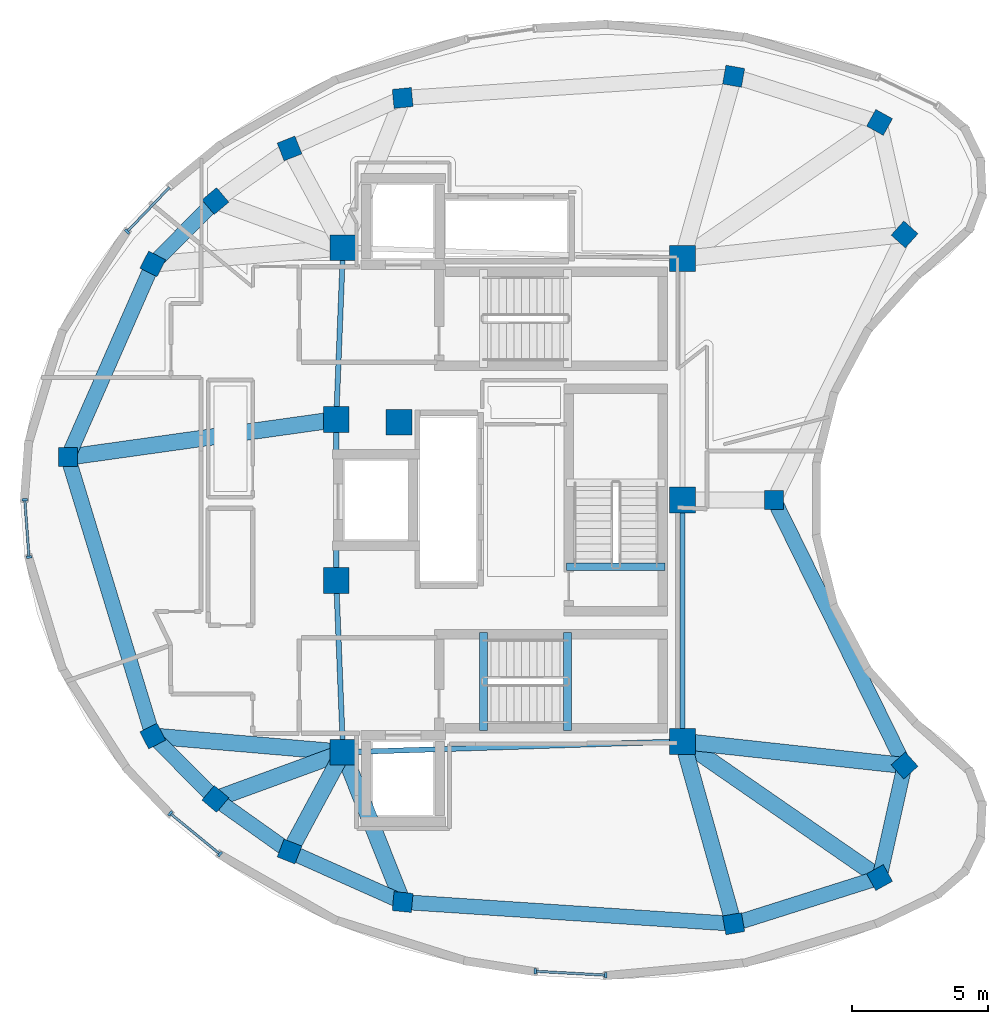
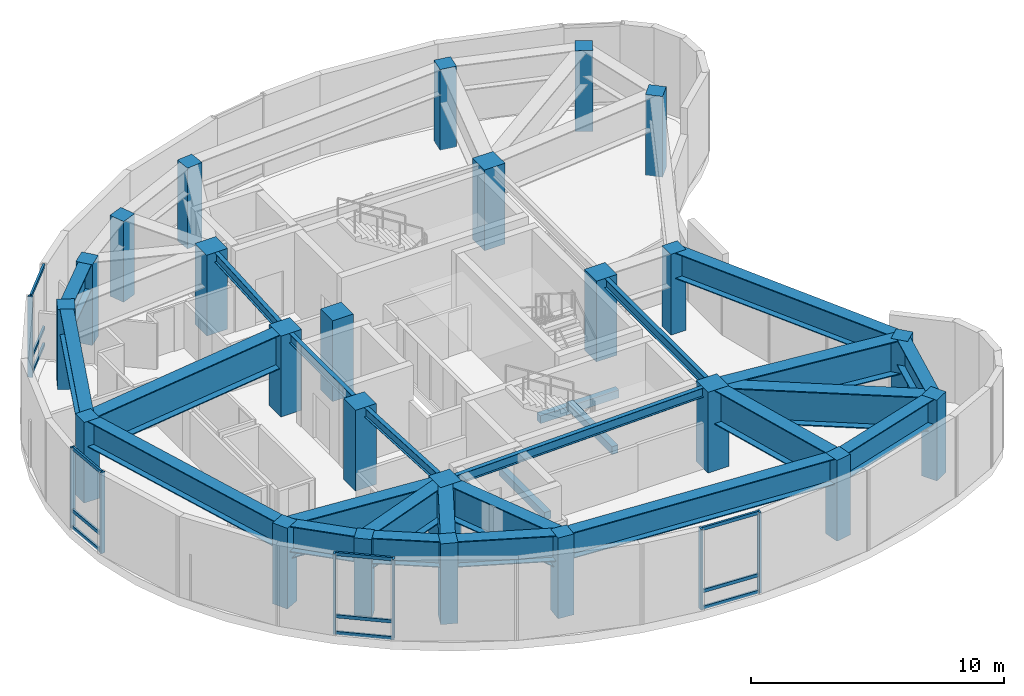
# One storey, part 1 of 8: 26 beams, 24 columns, 19 members, 4 elements without a shape of their own.
"""IFC4 building model written with IfcOpenShell, lengths in metres."""

import ifcopenshell
import ifcopenshell.guid

model = None  # the IFC model being written
_history = None  # IfcOwnerHistory: only IFC2X3 demands one
_inside = {}  # id of a spatial element -> (the spatial element, [elements in it])
_under = {}  # id of a project, library or spatial element -> (it, [spatial elements below it])
_declared = {}  # id of a project -> (the project, [libraries it declares])
_typed = {}  # id of a type object -> (the type object, [elements of that type])
_made_of = {}  # id of a material, layer set ... -> (it, [elements and type objects made of it])


def new_model(schema):
    """Start an empty IFC model of exactly this schema.

    Asked for "IFC4X3", IfcOpenShell would pick the latest addendum, in which some entities
    have other attributes; the version numbers below select the first issue.
    IFC2X3 requires an IfcOwnerHistory on every rooted entity: one is made here for all.
    """
    global model, _history
    if schema == "IFC4X3":
        model = ifcopenshell.file(schema_version=(4, 3, 0, 0))
    else:
        model = ifcopenshell.file(schema=schema)
    _inside.clear()
    _under.clear()
    _declared.clear()
    _typed.clear()
    _made_of.clear()
    _history = None
    if model.schema == "IFC2X3":
        org = make("IfcOrganization", Name="unknown")
        user = make(
            "IfcPersonAndOrganization",
            ThePerson=make("IfcPerson", FamilyName="unknown"),
            TheOrganization=org,
        )
        app = make(
            "IfcApplication",
            ApplicationDeveloper=org,
            Version="unknown",
            ApplicationFullName="unknown",
            ApplicationIdentifier="unknown",
        )
        _history = make(
            "IfcOwnerHistory",
            OwningUser=user,
            OwningApplication=app,
            ChangeAction="ADDED",
            CreationDate=0,
        )
    return model


def make(cls, **values):
    """One entity of the class cls with the attributes given. An attribute that is None is left unset."""
    return model.create_entity(
        cls, **{name: value for name, value in values.items() if value is not None}
    )


def rooted(cls, **values):
    """An entity with a GlobalId (a new one), such as an element, a storey or a relation."""
    return make(cls, GlobalId=ifcopenshell.guid.new(), OwnerHistory=_history, **values)


def si_unit(unit_type, name, prefix=None):
    """IfcSIUnit, for example si_unit("LENGTHUNIT", "METRE", prefix="MILLI")."""
    return make("IfcSIUnit", UnitType=unit_type, Prefix=prefix, Name=name)


def assignment(units):
    """IfcUnitAssignment: the units of a project."""
    return None if units is None else make("IfcUnitAssignment", Units=units)


def point(xyz):
    """IfcCartesianPoint."""
    return None if xyz is None else make("IfcCartesianPoint", Coordinates=xyz)


def direction(xyz):
    """IfcDirection."""
    return None if xyz is None else make("IfcDirection", DirectionRatios=xyz)


def frame(location, z_axis=None, x_axis=None):
    """IfcAxis2Placement3D, a coordinate frame: its origin and axes. An axis left out is left unset."""
    return make(
        "IfcAxis2Placement3D",
        Location=point(location),
        Axis=direction(z_axis),
        RefDirection=direction(x_axis),
    )


def frame_2d(location, x_axis=None):
    """IfcAxis2Placement2D, a coordinate frame in the plane: its origin and x axis."""
    return make(
        "IfcAxis2Placement2D", Location=point(location), RefDirection=direction(x_axis)
    )


def origin():
    """The frame at (0, 0, 0) with its axes left unset."""
    return frame((0.0, 0.0, 0.0))


def origin_2d():
    """The frame at (0, 0) in the plane with its x axis left unset."""
    return frame_2d((0.0, 0.0))


def place(relative_to, where):
    """IfcLocalPlacement: puts the frame where relative to a parent placement (None: the world)."""
    return make(
        "IfcLocalPlacement", PlacementRelTo=relative_to, RelativePlacement=where
    )


def context(
    kind, dimensions, precision=None, world=None, true_north=None, identifier=None
):
    """IfcGeometricRepresentationContext, for example the 3D "Model" context."""
    return make(
        "IfcGeometricRepresentationContext",
        ContextIdentifier=identifier,
        ContextType=kind,
        CoordinateSpaceDimension=dimensions,
        Precision=precision,
        WorldCoordinateSystem=world,
        TrueNorth=true_north,
    )


def subcontext(parent, identifier, kind, view, scale=None):
    """IfcGeometricRepresentationSubContext, for example "Body" below "Model"."""
    return make(
        "IfcGeometricRepresentationSubContext",
        ContextIdentifier=identifier,
        ContextType=kind,
        ParentContext=parent,
        TargetScale=scale,
        TargetView=view,
    )


def project(units=None, contexts=None):
    """IfcProject with its units and contexts."""
    return rooted(
        "IfcProject",
        Name="project",
        RepresentationContexts=contexts,
        UnitsInContext=assignment(units),
    )


def spatial(cls, under=None, at=None, **own):
    """A site, building, storey or space (cls), placed at a placement, below another one or the project."""
    s = rooted(cls, ObjectPlacement=at, **own)
    if under is not None:
        _under.setdefault(under.id(), (under, []))[1].append(s)
    return s


def profile(cls, at=None, kind="AREA", **sizes):
    """A parametric profile (cls). Its sizes go by their IFC names, for example OverallWidth=200.0."""
    return make(cls, ProfileType=kind, Position=at, **sizes)


def rectangle(**sizes):
    """IfcRectangleProfileDef."""
    return profile("IfcRectangleProfileDef", **sizes)


def i_section(**sizes):
    """IfcIShapeProfileDef."""
    return profile("IfcIShapeProfileDef", **sizes)


def extrude(swept, where, along, depth):
    """IfcExtrudedAreaSolid: the profile swept, set in the frame where, extruded along a direction by depth."""
    return make(
        "IfcExtrudedAreaSolid",
        SweptArea=swept,
        Position=where,
        ExtrudedDirection=direction(along),
        Depth=depth,
    )


def shape(context_of_items, identifier, shape_type, items):
    """IfcShapeRepresentation: the items that make up one representation, for example the "Body"."""
    return make(
        "IfcShapeRepresentation",
        ContextOfItems=context_of_items,
        RepresentationIdentifier=identifier,
        RepresentationType=shape_type,
        Items=items,
    )


def material(Name=None, Category=None):
    """IfcMaterial."""
    return make("IfcMaterial", Name=Name, Category=Category)


def layer(
    of_material, thickness, ventilated=None, Name=None, Category=None, Priority=None
):
    """IfcMaterialLayer: one layer of a wall or slab, of a material (None: an air gap)."""
    return make(
        "IfcMaterialLayer",
        Material=of_material,
        LayerThickness=thickness,
        IsVentilated=ventilated,
        Name=Name,
        Category=Category,
        Priority=Priority,
    )


def layer_set(layers, Name=None):
    """IfcMaterialLayerSet."""
    return make("IfcMaterialLayerSet", MaterialLayers=layers, LayerSetName=Name)


def material_profile(
    of_material, cross_section, Name=None, Category=None, Priority=None
):
    """IfcMaterialProfile: a cross section and its material."""
    return make(
        "IfcMaterialProfile",
        Name=Name,
        Material=of_material,
        Profile=cross_section,
        Priority=Priority,
        Category=Category,
    )


def profile_set(profiles, Name=None, composite=None):
    """IfcMaterialProfileSet."""
    return make(
        "IfcMaterialProfileSet",
        Name=Name,
        MaterialProfiles=profiles,
        CompositeProfile=composite,
    )


def made_of(thing, what):
    """Note that an element or type object is made of a material, layer set ...; save() writes the relation."""
    if what is not None:
        _made_of.setdefault(what.id(), (what, []))[1].append(thing)
    return thing


def type_object(cls, material=None, **own):
    """A type object (cls), such as IfcWallType, which elements share."""
    return made_of(rooted(cls, **own), material)


def element(
    cls,
    number,
    at=None,
    inside=None,
    cuts=None,
    type_object=None,
    material=None,
    context=None,
    identifier="Body",
    shape_type=None,
    held_by="IfcProductDefinitionShape",
    body=None,
    shapes=None,
    **own,
):
    """One element of the class cls, such as IfcWall. Its Tag is "e" and its number.

    at: its placement. inside: the storey or other place that contains it. cuts: it is an
    opening in that element (IfcRelVoidsElement). A single representation is given by context,
    identifier, shape_type and body (its items); several are given by shapes. held_by: the class
    of the entity that holds the representations. save() writes the other relations.
    """
    e = rooted(cls, Tag="e%d" % number, ObjectPlacement=at, **own)
    if body is not None:
        shapes = [shape(context, identifier, shape_type, body)]
    if shapes is not None:
        e.Representation = make(held_by, Representations=shapes)
    if inside is not None:
        _inside.setdefault(inside.id(), (inside, []))[1].append(e)
    if cuts is not None:
        rooted(
            "IfcRelVoidsElement", RelatingBuildingElement=cuts, RelatedOpeningElement=e
        )
    if type_object is not None:
        _typed.setdefault(type_object.id(), (type_object, []))[1].append(e)
    return made_of(e, material)


def aggregate(whole, parts):
    """IfcRelAggregates: a whole, such as a stair, and the parts it consists of."""
    return rooted("IfcRelAggregates", RelatingObject=whole, RelatedObjects=parts)


def save(model, path):
    """Write the relations noted so far, then the file.

    IfcRelAggregates (storeys below a building ...), IfcRelContainedInSpatialStructure (elements
    in a storey), IfcRelDefinesByType, IfcRelAssociatesMaterial and IfcRelDeclares: one each for
    every whole, place, type object, material and project.
    """
    for whole, parts in _under.values():
        aggregate(whole, parts)
    for where, things in _inside.values():
        rooted(
            "IfcRelContainedInSpatialStructure",
            RelatedElements=things,
            RelatingStructure=where,
        )
    for kind, things in _typed.values():
        rooted("IfcRelDefinesByType", RelatedObjects=things, RelatingType=kind)
    for what, things in _made_of.values():
        rooted("IfcRelAssociatesMaterial", RelatedObjects=things, RelatingMaterial=what)
    for by, libraries in _declared.values():
        rooted("IfcRelDeclares", RelatingContext=by, RelatedDefinitions=libraries)
    model.write(path)


model = new_model("IFC4")

# Units and contexts
model_context = context("Model", 3, precision=1e-05, world=origin(), true_north=direction((0.0, 1.0)))
body_context = subcontext(model_context, "Body", "Model", "MODEL_VIEW")
ifc_project = project(units=[si_unit("LENGTHUNIT", "METRE"), si_unit("AREAUNIT", "SQUARE_METRE"), si_unit("VOLUMEUNIT", "CUBIC_METRE"), si_unit("PLANEANGLEUNIT", "RADIAN"), si_unit("MASSUNIT", "GRAM", prefix="KILO")], contexts=[model_context])

# Site, building, storey
site_placement = place(None, origin())
site = spatial("IfcSite", under=ifc_project, at=site_placement, CompositionType="ELEMENT")
building_placement = place(site_placement, origin())
building = spatial("IfcBuilding", under=site, at=building_placement, Name="Korentha Bioscience Tower", CompositionType="ELEMENT")
storey_placement = place(building_placement, frame((0.0, 0.0, 322.800048828125)))
storey = spatial("IfcBuildingStorey", under=building, at=storey_placement, Name="L74", CompositionType="ELEMENT", Elevation=322.800048828125)

# Columns
ifc_material_1 = material(Name="Concrete C65", Category="concrete")
ifc_material_profile_1 = material_profile(ifc_material_1, rectangle(XDim=0.949951171875, YDim=0.949951171875, at=origin_2d()), Name="Concrete C65")
ifc_profile_set_1 = profile_set([ifc_material_profile_1], Name="Concrete C65 (COL-CP09)")
column_type_1 = type_object("IfcColumnType", Name="Core Pilaster Column RC 950x950", PredefinedType="PILASTER", material=ifc_profile_set_1)
for number, where, z_axis, x_axis, name in (
    (1, (37.550048828125, 35.85009765625, -0.00048828125), (0.0, 0.0, 1.0), (1.0, 0.0, 0.0), "L74 Core Pilaster CP-01"),
    (2, (25.10009765625, 36.25, -0.00048828125), (0.0, 0.0, 1.0), (1.0, 0.0, 0.0), "L74 Core Pilaster CP-02"),
    (3, (24.85009765625, 29.949951171875, -0.00048828125), (0.0, 0.0, 1.0), (1.0, 0.0, 0.0), "L74 Core Pilaster CP-03"),
    (4, (27.14990234375, 29.85009765625, -0.00048828125), (0.0, 0.0, 1.0), (1.0, 0.0, 0.0), "L74 Core Pilaster CP-04"),
    (5, (24.85009765625, 24.050048828125, -0.00048828125), (0.0, 0.0, 1.0), (1.0, 0.0, 0.0), "L74 Core Pilaster CP-05"),
    (6, (25.10009765625, 17.75, -0.00048828125), (0.0, 0.0, 1.0), (1.0, 0.0, 0.0), "L74 Core Pilaster CP-06"),
    (7, (37.550048828125, 18.14990234375, -0.00048828125), (0.0, 0.0, 1.0), (1.0, 0.0, 0.0), "L74 Core Pilaster CP-07"),
    (8, (37.550048828125, 27.0, -0.00048828125), (0.0, 0.0, 1.0), (1.0, 0.0, 0.0), "L74 Core Pilaster CP-08"),
):
    element("IfcColumn", number, at=place(storey_placement, frame(where, z_axis=z_axis, x_axis=x_axis)), inside=storey, type_object=column_type_1, Name=name, PredefinedType="PILASTER", context=body_context, shape_type="SweptSolid", body=[
        extrude(rectangle(XDim=0.949951171875, YDim=0.949951171875, at=origin_2d()), origin(), (0.0, 0.0, 1.0), 3.90087890625),
    ])
ifc_material_2 = material(Name="Concrete C50", Category="concrete")
ifc_material_profile_2 = material_profile(ifc_material_2, rectangle(XDim=0.699951171875, YDim=0.699951171875, at=origin_2d()), Name="Concrete C50")
ifc_profile_set_2 = profile_set([ifc_material_profile_2], Name="Concrete C50 (COL-P07)")
column_type_2 = type_object("IfcColumnType", Name="Perimeter Column RC 700x700", PredefinedType="COLUMN", material=ifc_profile_set_2)
for number, where, z_axis, x_axis, name in (
    (9, (44.77099609375, 40.843505859375, -0.00048828125), (0.0, 0.0, 1.0), (-0.874535078577, 0.484962262797, 0.0), "L74 Perimeter Column 01"),
    (10, (39.42138671875, 42.537353515625, -0.00048828125), (0.0, 0.0, 1.0), (-0.984868307662, 0.173304404339, 0.0), "L74 Perimeter Column 02"),
    (11, (27.2861328125, 41.740234375, -0.00048828125), (0.0, 0.0, 1.0), (0.995462868748, 0.095150811579, 0.0), "L74 Perimeter Column 03"),
    (12, (23.13818359375, 39.888916015625, -0.00048828125), (0.0, 0.0, 1.0), (0.930225540858, 0.366988341962, 0.0), "L74 Perimeter Column 04"),
    (13, (20.421630859375, 37.9619140625, -0.00048828125), (0.0, 0.0, 1.0), (0.764246456939, 0.644924300253, 0.0), "L74 Perimeter Column 05"),
    (14, (18.125, 35.6552734375, -0.00048828125), (0.0, 0.0, 1.0), (0.453057191132, 0.891481453292, 0.0), "L74 Perimeter Column 06"),
    (15, (15.0126953125, 28.570068359375, -0.00048828125), (0.0, 0.0, 1.0), (0.0, 1.0, 0.0), "L74 Perimeter Column 07"),
    (16, (18.125, 18.3447265625, -0.00048828125), (0.0, 0.0, 1.0), (-0.453057191132, 0.891481453292, 0.0), "L74 Perimeter Column 08"),
    (17, (20.421630859375, 16.0380859375, -0.00048828125), (0.0, 0.0, 1.0), (-0.764246456939, 0.644924300253, 0.0), "L74 Perimeter Column 09"),
    (18, (23.13818359375, 14.111083984375, -0.00048828125), (0.0, 0.0, 1.0), (-0.930225540858, 0.366988341962, 0.0), "L74 Perimeter Column 10"),
    (19, (27.2861328125, 12.259765625, -0.00048828125), (0.0, 0.0, 1.0), (-0.995462868748, 0.095150811579, 0.0), "L74 Perimeter Column 11"),
    (20, (39.42138671875, 11.462646484375, -0.00048828125), (0.0, 0.0, 1.0), (0.984868307662, 0.173304404339, 0.0), "L74 Perimeter Column 12"),
    (21, (44.77099609375, 13.156494140625, -0.00048828125), (0.0, 0.0, 1.0), (0.874535078577, 0.484962262797, 0.0), "L74 Perimeter Column 13"),
    (22, (45.688232421875, 17.26318359375, -0.00048828125), (0.0, 0.0, 1.0), (-0.669130606359, 0.743144825477, 0.0), "L74 Perimeter Column 14"),
    (23, (40.90380859375, 27.0, -0.00048828125), (0.0, 0.0, 1.0), (0.0, 1.0, 0.0), "L74 Perimeter Column 15"),
    (24, (45.688232421875, 36.73681640625, -0.00048828125), (0.0, 0.0, 1.0), (0.669130606359, 0.743144825477, 0.0), "L74 Perimeter Column 16"),
):
    element("IfcColumn", number, at=place(storey_placement, frame(where, z_axis=z_axis, x_axis=x_axis)), inside=storey, type_object=column_type_2, Name=name, PredefinedType="COLUMN", context=body_context, shape_type="SweptSolid", body=[
        extrude(rectangle(XDim=0.699951171875, YDim=0.699951171875, at=origin_2d()), origin(), (0.0, 0.0, 1.0), 3.90087890625),
    ])

# Beams
ifc_material_profile_3 = material_profile(ifc_material_2, rectangle(XDim=0.280029296875, YDim=0.3798828125, at=origin_2d()), Name="Concrete C50")
ifc_profile_set_3 = profile_set([ifc_material_profile_3], Name="Concrete C50 (ST-HB380)")
beam_type_1 = type_object("IfcBeamType", Name="Concrete Stair Header Beam RC 280x380", PredefinedType="BEAM", material=ifc_profile_set_3)
for number, where, z_axis, x_axis, name in (
    (25, (30.25, 18.550048828125, -0.18994140625), (0.0, 1.0, 0.0), (-1.0, 0.0, 0.0), "L74 ST-2 Concrete Stair Header Beam"),
    (26, (33.330078125, 18.550048828125, 1.909912109375), (0.0, 1.0, 0.0), (-1.0, 0.0, 0.0), "L74 ST-2 Half-Landing Header Beam 1"),
    (27, (36.89990234375, 24.550048828125, -0.18994140625), (-1.0, 0.0, 0.0), (0.0, -1.0, 0.0), "L74 ST-3 Concrete Stair Header Beam"),
):
    element("IfcBeam", number, at=place(storey_placement, frame(where, z_axis=z_axis, x_axis=x_axis)), inside=storey, type_object=beam_type_1, Name=name, PredefinedType="BEAM", context=body_context, shape_type="SweptSolid", body=[
        extrude(rectangle(XDim=0.280029296875, YDim=0.3798828125, at=origin_2d()), origin(), (0.0, 0.0, 1.0), 3.599853515625),
    ])
ifc_material_3 = material(Name="Steel S355", Category="steel")
ifc_material_profile_4 = material_profile(ifc_material_3, i_section(OverallWidth=0.550048828125, OverallDepth=1.25, WebThickness=0.02392578125, FlangeThickness=0.0400390625, at=origin_2d()), Name="Steel S355")
ifc_profile_set_4 = profile_set([ifc_material_profile_4], Name="Steel S355 (TG-03)")
beam_type_2 = type_object("IfcBeamType", Name="Crown Step Transfer Girder CVS 1250x510", PredefinedType="USERDEFINED", material=ifc_profile_set_4)
beam_1_placement = place(storey_placement, frame((20.421630859375, 37.9619140625, 3.27490234375), z_axis=(-0.705567516795, -0.708642702103, 0.0), x_axis=(0.708642702103, -0.705567516795, 0.0)))
element("IfcBeam", 28, at=beam_1_placement, inside=storey, type_object=beam_type_2, Name="L74 Perimeter Spandrel Girder 05", ObjectType="TRANSFER_GIRDER", PredefinedType="USERDEFINED", context=body_context, shape_type="SweptSolid", body=[
    extrude(i_section(OverallWidth=0.550048828125, OverallDepth=1.25, WebThickness=0.02392578125, FlangeThickness=0.0400390625, at=origin_2d()), origin(), (0.0, 0.0, 1.0), 3.255126953125),
])
beam_2_placement = place(storey_placement, frame((18.125, 35.6552734375, 3.27490234375), z_axis=(-0.402177140297, -0.915561875475, 0.0), x_axis=(0.915561875475, -0.402177140297, 0.0)))
element("IfcBeam", 29, at=beam_2_placement, inside=storey, type_object=beam_type_2, Name="L74 Perimeter Spandrel Girder 06", ObjectType="TRANSFER_GIRDER", PredefinedType="USERDEFINED", context=body_context, shape_type="SweptSolid", body=[
    extrude(i_section(OverallWidth=0.550048828125, OverallDepth=1.25, WebThickness=0.02392578125, FlangeThickness=0.0400390625, at=origin_2d()), origin(), (0.0, 0.0, 1.0), 7.738525390625),
])
beam_3_placement = place(storey_placement, frame((15.0126953125, 28.570068359375, 3.27490234375), z_axis=(0.291182520757, -0.956667517796, 0.0), x_axis=(0.956667517796, 0.291182520757, 0.0)))
element("IfcBeam", 30, at=beam_3_placement, inside=storey, type_object=beam_type_2, Name="L74 Perimeter Spandrel Girder 07", ObjectType="TRANSFER_GIRDER", PredefinedType="USERDEFINED", context=body_context, shape_type="SweptSolid", body=[
    extrude(i_section(OverallWidth=0.550048828125, OverallDepth=1.25, WebThickness=0.02392578125, FlangeThickness=0.0400390625, at=origin_2d()), origin(), (0.0, 0.0, 1.0), 10.6884765625),
])
beam_4_placement = place(storey_placement, frame((18.125, 18.3447265625, 3.27490234375), z_axis=(0.705567516795, -0.708642702103, 0.0), x_axis=(0.708642702103, 0.705567516795, 0.0)))
element("IfcBeam", 31, at=beam_4_placement, inside=storey, type_object=beam_type_2, Name="L74 Perimeter Spandrel Girder 08", ObjectType="TRANSFER_GIRDER", PredefinedType="USERDEFINED", context=body_context, shape_type="SweptSolid", body=[
    extrude(i_section(OverallWidth=0.550048828125, OverallDepth=1.25, WebThickness=0.02392578125, FlangeThickness=0.0400390625, at=origin_2d()), origin(), (0.0, 0.0, 1.0), 3.255126953125),
])
beam_5_placement = place(storey_placement, frame((20.421630859375, 16.0380859375, 3.27490234375), z_axis=(0.815631003844, -0.578572437615, 0.0), x_axis=(0.578572437615, 0.815631003844, 0.0)))
element("IfcBeam", 32, at=beam_5_placement, inside=storey, type_object=beam_type_2, Name="L74 Perimeter Spandrel Girder 09", ObjectType="TRANSFER_GIRDER", PredefinedType="USERDEFINED", context=body_context, shape_type="SweptSolid", body=[
    extrude(i_section(OverallWidth=0.550048828125, OverallDepth=1.25, WebThickness=0.02392578125, FlangeThickness=0.0400390625, at=origin_2d()), origin(), (0.0, 0.0, 1.0), 3.33056640625),
])
beam_6_placement = place(storey_placement, frame((23.13818359375, 14.111083984375, 3.27490234375), z_axis=(0.913174320366, -0.407569209613, 0.0), x_axis=(0.407569209613, 0.913174320366, 0.0)))
element("IfcBeam", 33, at=beam_6_placement, inside=storey, type_object=beam_type_2, Name="L74 Perimeter Spandrel Girder 10", ObjectType="TRANSFER_GIRDER", PredefinedType="USERDEFINED", context=body_context, shape_type="SweptSolid", body=[
    extrude(i_section(OverallWidth=0.550048828125, OverallDepth=1.25, WebThickness=0.02392578125, FlangeThickness=0.0400390625, at=origin_2d()), origin(), (0.0, 0.0, 1.0), 4.542236328125),
])
beam_7_placement = place(storey_placement, frame((27.2861328125, 12.259765625, 3.27490234375), z_axis=(0.997849615433, -0.065544984396, 0.0), x_axis=(0.065544984396, 0.997849615433, 0.0)))
element("IfcBeam", 34, at=beam_7_placement, inside=storey, type_object=beam_type_2, Name="L74 Perimeter Spandrel Girder 11", ObjectType="TRANSFER_GIRDER", PredefinedType="USERDEFINED", context=body_context, shape_type="SweptSolid", body=[
    extrude(i_section(OverallWidth=0.550048828125, OverallDepth=1.25, WebThickness=0.02392578125, FlangeThickness=0.0400390625, at=origin_2d()), origin(), (0.0, 0.0, 1.0), 12.161376953125),
])
beam_8_placement = place(storey_placement, frame((39.42138671875, 11.462646484375, 3.27490234375), z_axis=(0.953352242372, 0.301860070171, 0.0), x_axis=(-0.301860070171, 0.953352242372, 0.0)))
element("IfcBeam", 35, at=beam_8_placement, inside=storey, type_object=beam_type_2, Name="L74 Perimeter Spandrel Girder 12", ObjectType="TRANSFER_GIRDER", PredefinedType="USERDEFINED", context=body_context, shape_type="SweptSolid", body=[
    extrude(i_section(OverallWidth=0.550048828125, OverallDepth=1.25, WebThickness=0.02392578125, FlangeThickness=0.0400390625, at=origin_2d()), origin(), (0.0, 0.0, 1.0), 5.611328125),
])
beam_9_placement = place(storey_placement, frame((44.77099609375, 13.156494140625, 3.27490234375), z_axis=(0.21798083403, 0.975953050098, 0.0), x_axis=(-0.975953050098, 0.21798083403, 0.0)))
element("IfcBeam", 36, at=beam_9_placement, inside=storey, type_object=beam_type_2, Name="L74 Perimeter Spandrel Girder 13", ObjectType="TRANSFER_GIRDER", PredefinedType="USERDEFINED", context=body_context, shape_type="SweptSolid", body=[
    extrude(i_section(OverallWidth=0.550048828125, OverallDepth=1.25, WebThickness=0.02392578125, FlangeThickness=0.0400390625, at=origin_2d()), origin(), (0.0, 0.0, 1.0), 4.207763671875),
])
beam_10_placement = place(storey_placement, frame((45.688232421875, 17.26318359375, 3.27490234375), z_axis=(-0.441009789641, 0.897502292722, 0.0), x_axis=(-0.897502292722, -0.441009789641, 0.0)))
element("IfcBeam", 37, at=beam_10_placement, inside=storey, type_object=beam_type_2, Name="L74 Perimeter Spandrel Girder 14", ObjectType="TRANSFER_GIRDER", PredefinedType="USERDEFINED", context=body_context, shape_type="SweptSolid", body=[
    extrude(i_section(OverallWidth=0.550048828125, OverallDepth=1.25, WebThickness=0.02392578125, FlangeThickness=0.0400390625, at=origin_2d()), origin(), (0.0, 0.0, 1.0), 10.848876953125),
])
ifc_material_profile_5 = material_profile(ifc_material_3, i_section(OverallWidth=0.60009765625, OverallDepth=1.64990234375, WebThickness=0.02587890625, FlangeThickness=0.0439453125, at=origin_2d()), Name="Steel S355")
ifc_profile_set_5 = profile_set([ifc_material_profile_5], Name="Steel S355 (TG-04)")
beam_type_3 = type_object("IfcBeamType", Name="Deep Setback Transfer Girder CVS 1650x620", PredefinedType="USERDEFINED", material=ifc_profile_set_5)
beam_11_placement = place(storey_placement, frame((24.85009765625, 29.949951171875, 3.074951171875), z_axis=(-0.990305131157, -0.138909132906, 0.0), x_axis=(0.138909132906, -0.990305131157, 0.0)))
element("IfcBeam", 38, at=beam_11_placement, inside=storey, type_object=beam_type_3, Name="L74 Radial Transfer Girder 07", ObjectType="TRANSFER_GIRDER", PredefinedType="USERDEFINED", context=body_context, shape_type="SweptSolid", body=[
    extrude(i_section(OverallWidth=0.60009765625, OverallDepth=1.64990234375, WebThickness=0.02587890625, FlangeThickness=0.0439453125, at=origin_2d()), origin(), (0.0, 0.0, 1.0), 9.93359375),
])
beam_12_placement = place(storey_placement, frame((25.10009765625, 17.75, 3.074951171875), z_axis=(-0.996384703201, 0.084956007595, 0.0), x_axis=(-0.084956007595, -0.996384703201, 0.0)))
element("IfcBeam", 39, at=beam_12_placement, inside=storey, type_object=beam_type_3, Name="L74 Radial Transfer Girder 08", ObjectType="TRANSFER_GIRDER", PredefinedType="USERDEFINED", context=body_context, shape_type="SweptSolid", body=[
    extrude(i_section(OverallWidth=0.60009765625, OverallDepth=1.64990234375, WebThickness=0.02587890625, FlangeThickness=0.0439453125, at=origin_2d()), origin(), (0.0, 0.0, 1.0), 7.00048828125),
])
beam_13_placement = place(storey_placement, frame((25.10009765625, 17.75, 3.074951171875), z_axis=(-0.939104724197, -0.34363107687, 0.0), x_axis=(0.34363107687, -0.939104724197, 0.0)))
element("IfcBeam", 40, at=beam_13_placement, inside=storey, type_object=beam_type_3, Name="L74 Radial Transfer Girder 09", ObjectType="TRANSFER_GIRDER", PredefinedType="USERDEFINED", context=body_context, shape_type="SweptSolid", body=[
    extrude(i_section(OverallWidth=0.60009765625, OverallDepth=1.64990234375, WebThickness=0.02587890625, FlangeThickness=0.0439453125, at=origin_2d()), origin(), (0.0, 0.0, 1.0), 4.98193359375),
])
beam_14_placement = place(storey_placement, frame((25.10009765625, 17.75, 3.074951171875), z_axis=(-0.474568134662, -0.880218771422, 0.0), x_axis=(0.880218771422, -0.474568134662, 0.0)))
element("IfcBeam", 41, at=beam_14_placement, inside=storey, type_object=beam_type_3, Name="L74 Radial Transfer Girder 10", ObjectType="TRANSFER_GIRDER", PredefinedType="USERDEFINED", context=body_context, shape_type="SweptSolid", body=[
    extrude(i_section(OverallWidth=0.60009765625, OverallDepth=1.64990234375, WebThickness=0.02587890625, FlangeThickness=0.0439453125, at=origin_2d()), origin(), (0.0, 0.0, 1.0), 4.134033203125),
])
beam_15_placement = place(storey_placement, frame((25.10009765625, 17.75, 3.074951171875), z_axis=(0.369922863927, -0.929062470851, 0.0), x_axis=(0.929062470851, 0.369922863927, 0.0)))
element("IfcBeam", 42, at=beam_15_placement, inside=storey, type_object=beam_type_3, Name="L74 Radial Transfer Girder 11", ObjectType="TRANSFER_GIRDER", PredefinedType="USERDEFINED", context=body_context, shape_type="SweptSolid", body=[
    extrude(i_section(OverallWidth=0.60009765625, OverallDepth=1.64990234375, WebThickness=0.02587890625, FlangeThickness=0.0439453125, at=origin_2d()), origin(), (0.0, 0.0, 1.0), 5.909423828125),
])
beam_16_placement = place(storey_placement, frame((37.550048828125, 18.14990234375, 3.074951171875), z_axis=(0.269483866639, -0.963004904256, 0.0), x_axis=(0.963004904256, 0.269483866639, 0.0)))
element("IfcBeam", 43, at=beam_16_placement, inside=storey, type_object=beam_type_3, Name="L74 Radial Transfer Girder 12", ObjectType="TRANSFER_GIRDER", PredefinedType="USERDEFINED", context=body_context, shape_type="SweptSolid", body=[
    extrude(i_section(OverallWidth=0.60009765625, OverallDepth=1.64990234375, WebThickness=0.02587890625, FlangeThickness=0.0439453125, at=origin_2d()), origin(), (0.0, 0.0, 1.0), 6.944091796875),
])
beam_17_placement = place(storey_placement, frame((37.550048828125, 18.14990234375, 3.074951171875), z_axis=(0.822496411979, -0.568770298347, 0.0), x_axis=(0.568770298347, 0.822496411979, 0.0)))
element("IfcBeam", 44, at=beam_17_placement, inside=storey, type_object=beam_type_3, Name="L74 Radial Transfer Girder 13", ObjectType="TRANSFER_GIRDER", PredefinedType="USERDEFINED", context=body_context, shape_type="SweptSolid", body=[
    extrude(i_section(OverallWidth=0.60009765625, OverallDepth=1.64990234375, WebThickness=0.02587890625, FlangeThickness=0.0439453125, at=origin_2d()), origin(), (0.0, 0.0, 1.0), 8.779296875),
])
beam_18_placement = place(storey_placement, frame((37.550048828125, 18.14990234375, 3.074951171875), z_axis=(0.994116431558, -0.108316760047, 0.0), x_axis=(0.108316760047, 0.994116431558, 0.0)))
element("IfcBeam", 45, at=beam_18_placement, inside=storey, type_object=beam_type_3, Name="L74 Radial Transfer Girder 14", ObjectType="TRANSFER_GIRDER", PredefinedType="USERDEFINED", context=body_context, shape_type="SweptSolid", body=[
    extrude(i_section(OverallWidth=0.60009765625, OverallDepth=1.64990234375, WebThickness=0.02587890625, FlangeThickness=0.0439453125, at=origin_2d()), origin(), (0.0, 0.0, 1.0), 8.186279296875),
])
ifc_material_profile_6 = material_profile(ifc_material_3, i_section(OverallWidth=0.18994140625, OverallDepth=0.45703125, WebThickness=0.009033203125, FlangeThickness=0.014404296875, at=origin_2d()), Name="Steel S355")
ifc_profile_set_6 = profile_set([ifc_material_profile_6], Name="Steel S355 (MB-460)")
beam_type_4 = type_object("IfcBeamType", Name="Mid-Ring Tie Girder W460x74", PredefinedType="BEAM", material=ifc_profile_set_6)
beam_19_placement = place(storey_placement, frame((25.10009765625, 36.25, 3.67138671875), z_axis=(-0.039651025576, -0.999213588864, 0.0), x_axis=(0.999213588864, -0.039651025576, 0.0)))
element("IfcBeam", 46, at=beam_19_placement, inside=storey, type_object=beam_type_4, Name="L74 Core Ring Tie Girder 02", PredefinedType="BEAM", context=body_context, shape_type="SweptSolid", body=[
    extrude(i_section(OverallWidth=0.18994140625, OverallDepth=0.45703125, WebThickness=0.009033203125, FlangeThickness=0.014404296875, at=origin_2d()), origin(), (0.0, 0.0, 1.0), 6.304931640625),
])
beam_20_placement = place(storey_placement, frame((24.85009765625, 29.949951171875, 3.67138671875), z_axis=(0.0, -1.0, 0.0), x_axis=(1.0, 0.0, 0.0)))
element("IfcBeam", 47, at=beam_20_placement, inside=storey, type_object=beam_type_4, Name="L74 Core Ring Tie Girder 03", PredefinedType="BEAM", context=body_context, shape_type="SweptSolid", body=[
    extrude(i_section(OverallWidth=0.18994140625, OverallDepth=0.45703125, WebThickness=0.009033203125, FlangeThickness=0.014404296875, at=origin_2d()), origin(), (0.0, 0.0, 1.0), 5.89990234375),
])
beam_21_placement = place(storey_placement, frame((24.85009765625, 24.050048828125, 3.67138671875), z_axis=(0.039651025576, -0.999213588864, 0.0), x_axis=(0.999213588864, 0.039651025576, 0.0)))
element("IfcBeam", 48, at=beam_21_placement, inside=storey, type_object=beam_type_4, Name="L74 Core Ring Tie Girder 04", PredefinedType="BEAM", context=body_context, shape_type="SweptSolid", body=[
    extrude(i_section(OverallWidth=0.18994140625, OverallDepth=0.45703125, WebThickness=0.009033203125, FlangeThickness=0.014404296875, at=origin_2d()), origin(), (0.0, 0.0, 1.0), 6.304931640625),
])
beam_22_placement = place(storey_placement, frame((25.10009765625, 17.75, 3.67138671875), z_axis=(0.999484526071, 0.032104238723, 0.0), x_axis=(-0.032104238723, 0.999484526071, 0.0)))
element("IfcBeam", 49, at=beam_22_placement, inside=storey, type_object=beam_type_4, Name="L74 Core Ring Tie Girder 05", PredefinedType="BEAM", context=body_context, shape_type="SweptSolid", body=[
    extrude(i_section(OverallWidth=0.18994140625, OverallDepth=0.45703125, WebThickness=0.009033203125, FlangeThickness=0.014404296875, at=origin_2d()), origin(), (0.0, 0.0, 1.0), 12.456298828125),
])
beam_23_placement = place(storey_placement, frame((37.550048828125, 18.14990234375, 3.67138671875), z_axis=(0.0, 1.0, 0.0), x_axis=(-1.0, 0.0, 0.0)))
element("IfcBeam", 50, at=beam_23_placement, inside=storey, type_object=beam_type_4, Name="L74 Core Ring Tie Girder 06", PredefinedType="BEAM", context=body_context, shape_type="SweptSolid", body=[
    extrude(i_section(OverallWidth=0.18994140625, OverallDepth=0.45703125, WebThickness=0.009033203125, FlangeThickness=0.014404296875, at=origin_2d()), origin(), (0.0, 0.0, 1.0), 8.85009765625),
])

# Curtain wall, member
ifc_material_4 = material(Name="Structural Silicone Glazed Aluminium", Category="aluminium")
ifc_layer = layer(ifc_material_4, 0.219970703125, Name="Structural Silicone Glazed Aluminium")
ifc_layer_set = layer_set([ifc_layer], Name="Structural Silicone Glazed Aluminium (CW-O1)")
curtain_wall_type = type_object("IfcCurtainWallType", Name="Sky Observatory Acoustic Curtain Wall CW-O1", PredefinedType="USERDEFINED", material=ifc_layer_set)
curtain_wall_1_placement = place(storey_placement, origin())
curtain_wall_1 = element("IfcCurtainWall", 51, at=curtain_wall_1_placement, inside=storey, type_object=curtain_wall_type, Name="L74 Curtain Wall 13", ObjectType="UNITISED", PredefinedType="USERDEFINED")
ifc_material_5 = material(Name="Anodised Aluminium 6063-T6", Category="aluminium")
ifc_material_profile_7 = material_profile(ifc_material_5, rectangle(XDim=0.090087890625, YDim=0.199951171875, at=origin_2d()), Name="Anodised Aluminium 6063-T6")
ifc_profile_set_7 = profile_set([ifc_material_profile_7], Name="Anodised Aluminium 6063-T6 (CW-MUL)")
member_type_1 = type_object("IfcMemberType", Name="Mullion RECT 90x200", PredefinedType="MULLION", material=ifc_profile_set_7)
member_1_placement = place(storey_placement, frame((17.18212890625, 36.83740234375, 0.0), z_axis=(0.0, 0.0, 1.0), x_axis=(-0.691464110116, -0.722410814164, 0.0)))
member_1 = element("IfcMember", 52, at=member_1_placement, type_object=member_type_1, Name="CW-L74-13 Mullion 2", PredefinedType="MULLION", context=body_context, shape_type="SweptSolid", body=[
    extrude(rectangle(XDim=0.090087890625, YDim=0.199951171875, at=origin_2d()), origin(), (0.0, 0.0, 1.0), 3.89990234375),
])

# Curtain wall, members
curtain_wall_2_placement = place(storey_placement, origin())
curtain_wall_2 = element("IfcCurtainWall", 53, at=curtain_wall_2_placement, inside=storey, type_object=curtain_wall_type, Name="L74 Curtain Wall 19", ObjectType="UNITISED", PredefinedType="USERDEFINED")
member_2_placement = place(storey_placement, frame((13.431884765625, 27.0068359375, 0.0), z_axis=(0.0, 0.0, 1.0), x_axis=(0.073859936969, -0.99726862465, 0.0)))
member_2 = element("IfcMember", 54, at=member_2_placement, type_object=member_type_1, Name="CW-L74-19 Mullion 1", PredefinedType="MULLION", context=body_context, shape_type="SweptSolid", body=[
    extrude(rectangle(XDim=0.090087890625, YDim=0.199951171875, at=origin_2d()), origin(), (0.0, 0.0, 1.0), 3.89990234375),
])
member_3_placement = place(storey_placement, frame((13.58740234375, 24.907958984375, 0.0), z_axis=(0.0, 0.0, 1.0), x_axis=(0.073859936969, -0.99726862465, 0.0)))
member_3 = element("IfcMember", 55, at=member_3_placement, type_object=member_type_1, Name="CW-L74-19 Mullion 2", PredefinedType="MULLION", context=body_context, shape_type="SweptSolid", body=[
    extrude(rectangle(XDim=0.090087890625, YDim=0.199951171875, at=origin_2d()), origin(), (0.0, 0.0, 1.0), 3.89990234375),
])

curtain_wall_3_placement = place(storey_placement, origin())
curtain_wall_3 = element("IfcCurtainWall", 56, at=curtain_wall_3_placement, inside=storey, type_object=curtain_wall_type, Name="L74 Curtain Wall 25", ObjectType="UNITISED", PredefinedType="USERDEFINED")
member_4_placement = place(storey_placement, frame((18.764404296875, 15.5087890625, 0.0), z_axis=(0.0, 0.0, 1.0), x_axis=(0.773456171637, -0.633849785483, 0.0)))
member_4 = element("IfcMember", 57, at=member_4_placement, type_object=member_type_1, Name="CW-L74-25 Mullion 1", PredefinedType="MULLION", context=body_context, shape_type="SweptSolid", body=[
    extrude(rectangle(XDim=0.090087890625, YDim=0.199951171875, at=origin_2d()), origin(), (0.0, 0.0, 1.0), 3.89990234375),
])
member_5_placement = place(storey_placement, frame((20.586669921875, 14.015380859375, 0.0), z_axis=(0.0, 0.0, 1.0), x_axis=(0.773456171637, -0.633849785483, 0.0)))
member_5 = element("IfcMember", 58, at=member_5_placement, type_object=member_type_1, Name="CW-L74-25 Mullion 2", PredefinedType="MULLION", context=body_context, shape_type="SweptSolid", body=[
    extrude(rectangle(XDim=0.090087890625, YDim=0.199951171875, at=origin_2d()), origin(), (0.0, 0.0, 1.0), 3.89990234375),
])

curtain_wall_4_placement = place(storey_placement, origin())
curtain_wall_4 = element("IfcCurtainWall", 59, at=curtain_wall_4_placement, inside=storey, type_object=curtain_wall_type, Name="L74 Curtain Wall 31", ObjectType="UNITISED", PredefinedType="USERDEFINED")
member_6_placement = place(storey_placement, frame((32.149658203125, 9.72119140625, 0.0), z_axis=(0.0, 0.0, 1.0), x_axis=(0.998475949486, -0.055188570363, 0.0)))
member_6 = element("IfcMember", 60, at=member_6_placement, type_object=member_type_1, Name="CW-L74-31 Mullion 1", PredefinedType="MULLION", context=body_context, shape_type="SweptSolid", body=[
    extrude(rectangle(XDim=0.090087890625, YDim=0.199951171875, at=origin_2d()), origin(), (0.0, 0.0, 1.0), 3.89990234375),
])
member_7_placement = place(storey_placement, frame((34.732177734375, 9.57861328125, 0.0), z_axis=(0.0, 0.0, 1.0), x_axis=(0.998475949486, -0.055188570363, 0.0)))
member_7 = element("IfcMember", 61, at=member_7_placement, type_object=member_type_1, Name="CW-L74-31 Mullion 2", PredefinedType="MULLION", context=body_context, shape_type="SweptSolid", body=[
    extrude(rectangle(XDim=0.090087890625, YDim=0.199951171875, at=origin_2d()), origin(), (0.0, 0.0, 1.0), 3.89990234375),
])

# Member
ifc_material_profile_8 = material_profile(ifc_material_5, rectangle(XDim=0.090087890625, YDim=0.159912109375, at=origin_2d()), Name="Anodised Aluminium 6063-T6")
ifc_profile_set_8 = profile_set([ifc_material_profile_8], Name="Anodised Aluminium 6063-T6 (CW-TRN)")
member_type_2 = type_object("IfcMemberType", Name="Transom RECT 90x160", PredefinedType="USERDEFINED", material=ifc_profile_set_8)
member_8_placement = place(storey_placement, frame((18.739990234375, 38.465087890625, 0.044921875), z_axis=(-0.691456104853, -0.722418476412, 0.0), x_axis=(0.722418476412, -0.691456104853, 0.0)))
member_8 = element("IfcMember", 62, at=member_8_placement, type_object=member_type_2, Name="CW-L74-13 Bay 1 Transom 1", ObjectType="TRANSOM", PredefinedType="USERDEFINED", context=body_context, shape_type="SweptSolid", body=[
    extrude(rectangle(XDim=0.090087890625, YDim=0.159912109375, at=origin_2d()), origin(), (0.0, 0.0, 1.0), 2.207763671875),
])

member_9_placement = place(storey_placement, frame((18.739990234375, 38.465087890625, 0.849853515625), z_axis=(-0.691456104853, -0.722418476412, 0.0), x_axis=(0.722418476412, -0.691456104853, 0.0)))
member_9 = element("IfcMember", 63, at=member_9_placement, type_object=member_type_2, Name="CW-L74-13 Bay 1 Transom 2", ObjectType="TRANSOM", PredefinedType="USERDEFINED", context=body_context, shape_type="SweptSolid", body=[
    extrude(rectangle(XDim=0.090087890625, YDim=0.159912109375, at=origin_2d()), origin(), (0.0, 0.0, 1.0), 2.207763671875),
])

member_10_placement = place(storey_placement, frame((18.739990234375, 38.465087890625, 3.85498046875), z_axis=(-0.691456104853, -0.722418476412, 0.0), x_axis=(0.722418476412, -0.691456104853, 0.0)))
member_10 = element("IfcMember", 64, at=member_10_placement, type_object=member_type_2, Name="CW-L74-13 Bay 1 Transom 3", ObjectType="TRANSOM", PredefinedType="USERDEFINED", context=body_context, shape_type="SweptSolid", body=[
    extrude(rectangle(XDim=0.090087890625, YDim=0.159912109375, at=origin_2d()), origin(), (0.0, 0.0, 1.0), 2.207763671875),
])

aggregate(curtain_wall_1, [member_1, member_8, member_9, member_10])

member_11_placement = place(storey_placement, frame((13.435302734375, 26.9619140625, 0.044921875), z_axis=(0.073804724967, -0.997272712237, 0.0), x_axis=(0.997272712237, 0.073804724967, 0.0)))
member_11 = element("IfcMember", 65, at=member_11_placement, type_object=member_type_2, Name="CW-L74-19 Bay 1 Transom 1", ObjectType="TRANSOM", PredefinedType="USERDEFINED", context=body_context, shape_type="SweptSolid", body=[
    extrude(rectangle(XDim=0.090087890625, YDim=0.159912109375, at=origin_2d()), origin(), (0.0, 0.0, 1.0), 2.0146484375),
])

member_12_placement = place(storey_placement, frame((13.435302734375, 26.9619140625, 0.849853515625), z_axis=(0.073804724967, -0.997272712237, 0.0), x_axis=(0.997272712237, 0.073804724967, 0.0)))
member_12 = element("IfcMember", 66, at=member_12_placement, type_object=member_type_2, Name="CW-L74-19 Bay 1 Transom 2", ObjectType="TRANSOM", PredefinedType="USERDEFINED", context=body_context, shape_type="SweptSolid", body=[
    extrude(rectangle(XDim=0.090087890625, YDim=0.159912109375, at=origin_2d()), origin(), (0.0, 0.0, 1.0), 2.0146484375),
])

member_13_placement = place(storey_placement, frame((13.435302734375, 26.9619140625, 3.85498046875), z_axis=(0.073804724967, -0.997272712237, 0.0), x_axis=(0.997272712237, 0.073804724967, 0.0)))
member_13 = element("IfcMember", 67, at=member_13_placement, type_object=member_type_2, Name="CW-L74-19 Bay 1 Transom 3", ObjectType="TRANSOM", PredefinedType="USERDEFINED", context=body_context, shape_type="SweptSolid", body=[
    extrude(rectangle(XDim=0.090087890625, YDim=0.159912109375, at=origin_2d()), origin(), (0.0, 0.0, 1.0), 2.0146484375),
])

aggregate(curtain_wall_2, [member_2, member_3, member_11, member_12, member_13])

member_14_placement = place(storey_placement, frame((18.799072265625, 15.48046875, 0.044921875), z_axis=(0.773457902269, -0.63384767367, 0.0), x_axis=(0.63384767367, 0.773457902269, 0.0)))
member_14 = element("IfcMember", 68, at=member_14_placement, type_object=member_type_2, Name="CW-L74-25 Bay 1 Transom 1", ObjectType="TRANSOM", PredefinedType="USERDEFINED", context=body_context, shape_type="SweptSolid", body=[
    extrude(rectangle(XDim=0.090087890625, YDim=0.159912109375, at=origin_2d()), origin(), (0.0, 0.0, 1.0), 2.266357421875),
])

member_15_placement = place(storey_placement, frame((18.799072265625, 15.48046875, 0.849853515625), z_axis=(0.773457902269, -0.63384767367, 0.0), x_axis=(0.63384767367, 0.773457902269, 0.0)))
member_15 = element("IfcMember", 69, at=member_15_placement, type_object=member_type_2, Name="CW-L74-25 Bay 1 Transom 2", ObjectType="TRANSOM", PredefinedType="USERDEFINED", context=body_context, shape_type="SweptSolid", body=[
    extrude(rectangle(XDim=0.090087890625, YDim=0.159912109375, at=origin_2d()), origin(), (0.0, 0.0, 1.0), 2.266357421875),
])

member_16_placement = place(storey_placement, frame((18.799072265625, 15.48046875, 3.85498046875), z_axis=(0.773457902269, -0.63384767367, 0.0), x_axis=(0.63384767367, 0.773457902269, 0.0)))
member_16 = element("IfcMember", 70, at=member_16_placement, type_object=member_type_2, Name="CW-L74-25 Bay 1 Transom 3", ObjectType="TRANSOM", PredefinedType="USERDEFINED", context=body_context, shape_type="SweptSolid", body=[
    extrude(rectangle(XDim=0.090087890625, YDim=0.159912109375, at=origin_2d()), origin(), (0.0, 0.0, 1.0), 2.266357421875),
])

aggregate(curtain_wall_3, [member_4, member_5, member_14, member_15, member_16])

member_17_placement = place(storey_placement, frame((32.194580078125, 9.71875, 0.044921875), z_axis=(0.998477458721, -0.055161258372, 0.0), x_axis=(0.055161258372, 0.998477458721, 0.0)))
member_17 = element("IfcMember", 71, at=member_17_placement, type_object=member_type_2, Name="CW-L74-31 Bay 1 Transom 1", ObjectType="TRANSOM", PredefinedType="USERDEFINED", context=body_context, shape_type="SweptSolid", body=[
    extrude(rectangle(XDim=0.090087890625, YDim=0.159912109375, at=origin_2d()), origin(), (0.0, 0.0, 1.0), 2.496337890625),
])

member_18_placement = place(storey_placement, frame((32.194580078125, 9.71875, 0.849853515625), z_axis=(0.998477458721, -0.055161258372, 0.0), x_axis=(0.055161258372, 0.998477458721, 0.0)))
member_18 = element("IfcMember", 72, at=member_18_placement, type_object=member_type_2, Name="CW-L74-31 Bay 1 Transom 2", ObjectType="TRANSOM", PredefinedType="USERDEFINED", context=body_context, shape_type="SweptSolid", body=[
    extrude(rectangle(XDim=0.090087890625, YDim=0.159912109375, at=origin_2d()), origin(), (0.0, 0.0, 1.0), 2.496337890625),
])

member_19_placement = place(storey_placement, frame((32.194580078125, 9.71875, 3.85498046875), z_axis=(0.998477458721, -0.055161258372, 0.0), x_axis=(0.055161258372, 0.998477458721, 0.0)))
member_19 = element("IfcMember", 73, at=member_19_placement, type_object=member_type_2, Name="CW-L74-31 Bay 1 Transom 3", ObjectType="TRANSOM", PredefinedType="USERDEFINED", context=body_context, shape_type="SweptSolid", body=[
    extrude(rectangle(XDim=0.090087890625, YDim=0.159912109375, at=origin_2d()), origin(), (0.0, 0.0, 1.0), 2.496337890625),
])

aggregate(curtain_wall_4, [member_6, member_7, member_17, member_18, member_19])

save(model, "model.ifc")
